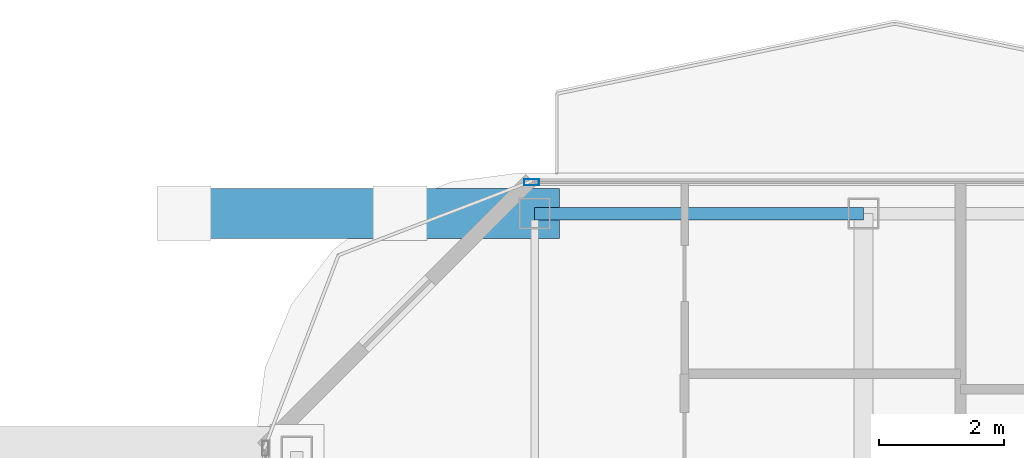
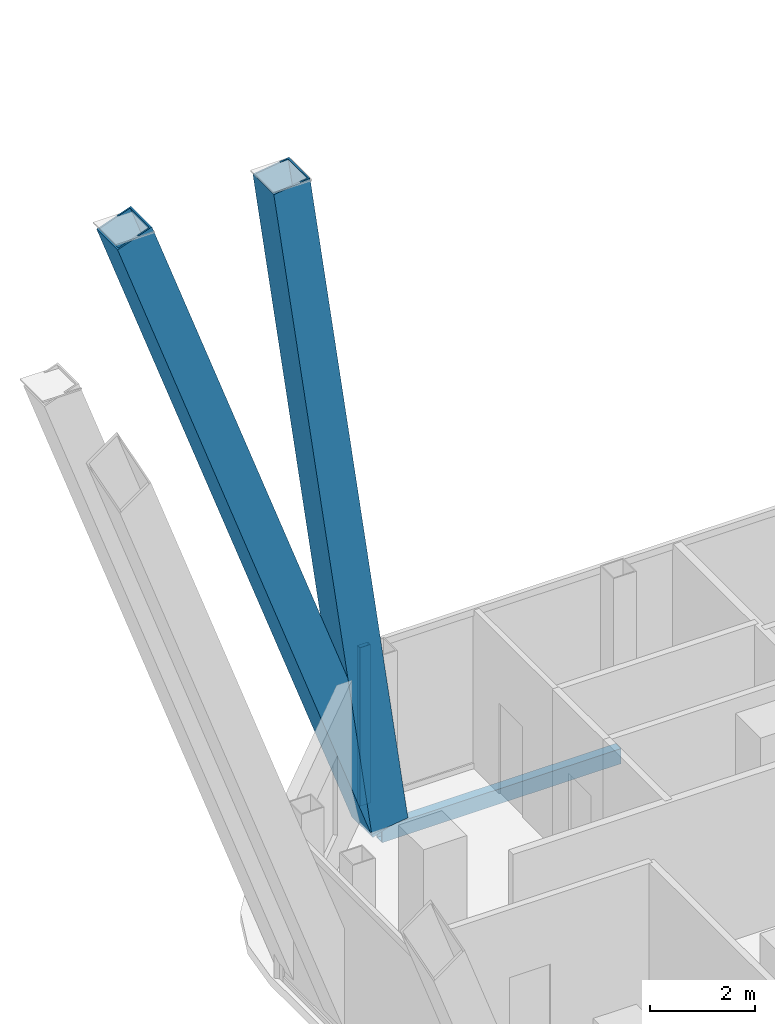
# One storey, part 12 of 27: 3 members, 1 beam, 1 element without a shape of its own.
"""IFC4 building model written with IfcOpenShell, lengths in metres."""

from ifc_helpers import new_model, si_unit, direction, frame, origin, origin_2d, place, context, subcontext, project, spatial, hollow_rectangle, extrude, material, layer, layer_set, material_profile, profile_set, type_object, element, aggregate, save


model = new_model("IFC4")

# Units and contexts
model_context = context("Model", 3, precision=1e-05, world=origin(), true_north=direction((0.0, 1.0)))
body_context = subcontext(model_context, "Body", "Model", "MODEL_VIEW")
ifc_project = project(units=[si_unit("LENGTHUNIT", "METRE"), si_unit("AREAUNIT", "SQUARE_METRE"), si_unit("VOLUMEUNIT", "CUBIC_METRE"), si_unit("PLANEANGLEUNIT", "RADIAN"), si_unit("MASSUNIT", "GRAM", prefix="KILO")], contexts=[model_context])

# Site, building, storey
site_placement = place(None, origin())
site = spatial("IfcSite", under=ifc_project, at=site_placement, CompositionType="ELEMENT")
building_placement = place(site_placement, origin())
building = spatial("IfcBuilding", under=site, at=building_placement, Name="Khorvyn Point Tower", CompositionType="ELEMENT")
storey_placement = place(building_placement, frame((0.0, 0.0, 270.300048828125)))
storey = spatial("IfcBuildingStorey", under=building, at=storey_placement, Name="L66", CompositionType="ELEMENT", Elevation=270.300048828125)

# Curtain wall, member
ifc_material_1 = material(Name="Anodised aluminium 6063-T6 and laminated Low-E glass", Category="aluminium")
ifc_layer = layer(ifc_material_1, 0.18994140625)
ifc_layer_set = layer_set([ifc_layer], Name="Stick-Built High-Wind Curtain Wall CW-SYS-04")
curtain_wall_type = type_object("IfcCurtainWallType", Name="Stick-Built High-Wind Curtain Wall CW-SYS-04", PredefinedType="NOTDEFINED", material=ifc_layer_set)
curtain_wall_placement = place(storey_placement, origin())
curtain_wall = element("IfcCurtainWall", 1, at=curtain_wall_placement, inside=storey, type_object=curtain_wall_type, Name="Curtain Wall", PredefinedType="NOTDEFINED")
ifc_material_2 = material(Name="Anodised aluminium 6063-T6", Category="aluminium")
ifc_material_profile_1 = material_profile(ifc_material_2, hollow_rectangle(XDim=0.10009765625, YDim=0.239990234375, WallThickness=0.0048828125, at=origin_2d()))
ifc_profile_set_1 = profile_set([ifc_material_profile_1], Name="Anodised aluminium 6063-T6 ALU-MUL-100x240")
member_type_1 = type_object("IfcMemberType", Name="Anodised Aluminium 6063-T6 Mullion ALU-MUL-100x240", PredefinedType="MULLION", material=ifc_profile_set_1)
member_1_placement = place(storey_placement, frame((-12.699951171875, 21.050048828125, 0.0), z_axis=(0.0, 0.0, 1.0), x_axis=(0.0, 1.0, 0.0)))
member_1 = element("IfcMember", 2, at=member_1_placement, type_object=member_type_1, Name="Transom", PredefinedType="MULLION", context=body_context, shape_type="SweptSolid", body=[
    extrude(hollow_rectangle(XDim=0.10009765625, YDim=0.239990234375, WallThickness=0.0048828125, at=origin_2d()), origin(), (0.0, 0.0, 1.0), 3.679931640625),
])
aggregate(curtain_wall, [member_1])

# Beam
ifc_material_3 = material(Name="Steel S355", Category="steel")
ifc_material_profile_2 = material_profile(ifc_material_3, hollow_rectangle(XDim=0.199951171875, YDim=0.35009765625, WallThickness=0.013916015625, at=origin_2d()))
ifc_profile_set_2 = profile_set([ifc_material_profile_2], Name="Steel S355 RHS350x200x14")
beam_type = type_object("IfcBeamType", Name="Steel S355 Spandrel RHS350x200x14", PredefinedType="SPANDREL", material=ifc_profile_set_2)
beam_placement = place(storey_placement, frame((-12.64990234375, 20.550048828125, -0.39501953125), z_axis=(1.0, 0.0, 0.0), x_axis=(0.0, 1.0, 0.0)))
element("IfcBeam", 3, at=beam_placement, inside=storey, type_object=beam_type, Name="Beam", PredefinedType="SPANDREL", context=body_context, shape_type="SweptSolid", body=[
    extrude(hollow_rectangle(XDim=0.199951171875, YDim=0.35009765625, WallThickness=0.013916015625, at=origin_2d()), origin(), (0.0, 0.0, 1.0), 5.25),
])

# Members
ifc_material_4 = material(Name="Steel S450", Category="steel")
ifc_material_profile_3 = material_profile(ifc_material_4, hollow_rectangle(XDim=0.800048828125, YDim=0.800048828125, WallThickness=0.035888671875, at=origin_2d()))
ifc_profile_set_3 = profile_set([ifc_material_profile_3], Name="Steel S450 BOX800x800x36")
member_type_2 = type_object("IfcMemberType", Name="Steel S450 Exoskeleton Structural Post BOX800x800x36", PredefinedType="POST", material=ifc_profile_set_3)
member_2_placement = place(storey_placement, frame((-12.64990234375, 20.550048828125, 0.0), z_axis=(-0.337872783366, 0.0, 0.941191788245), x_axis=(0.0, -1.0, 0.0)))
element("IfcMember", 4, at=member_2_placement, inside=storey, type_object=member_type_2, Name="L66 to L70 Exoskeleton Transfer Post 02", PredefinedType="POST", context=body_context, shape_type="SweptSolid", body=[
    extrude(hollow_rectangle(XDim=0.800048828125, YDim=0.800048828125, WallThickness=0.035888671875, at=origin_2d()), origin(), (0.0, 0.0, 1.0), 16.574462890625),
])
member_3_placement = place(storey_placement, frame((-12.64990234375, 20.550048828125, 0.0), z_axis=(-0.136540340593, 0.0, 0.990634511508), x_axis=(0.0, -1.0, 0.0)))
element("IfcMember", 5, at=member_3_placement, inside=storey, type_object=member_type_2, Name="L66 to L70 Exoskeleton Transfer Post 08", PredefinedType="POST", context=body_context, shape_type="SweptSolid", body=[
    extrude(hollow_rectangle(XDim=0.800048828125, YDim=0.800048828125, WallThickness=0.035888671875, at=origin_2d()), origin(), (0.0, 0.0, 1.0), 15.747314453125),
])

save(model, "model.ifc")
